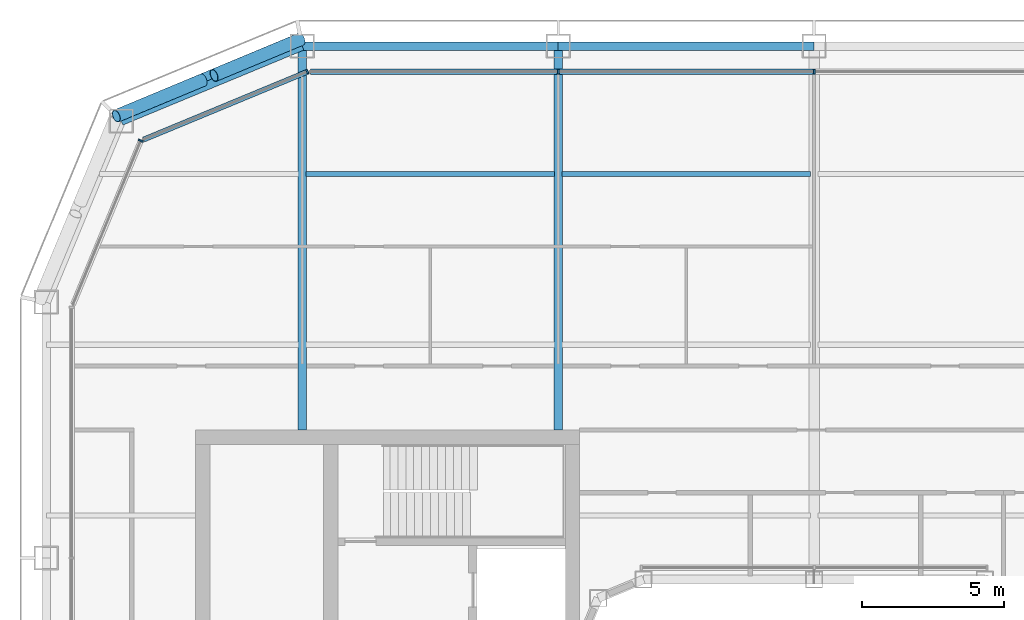
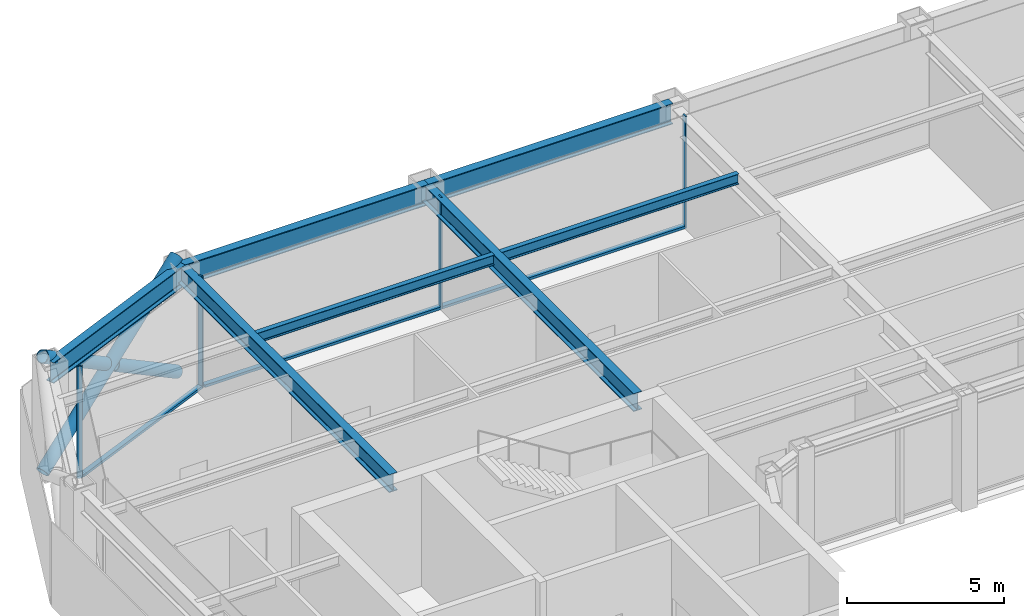
# One storey, part 8 of 22: 10 members, 7 beams, 3 elements without a shape of their own.
"""IFC4 building model written with IfcOpenShell, lengths in metres."""

from ifc_helpers import new_model, si_unit, direction, frame, origin, origin_2d, place, context, subcontext, project, spatial, rectangle, hollow_circle, i_section, extrude, material, layer, layer_set, material_profile, profile_set, type_object, element, aggregate, save


model = new_model("IFC4")

# Units and contexts
model_context = context("Model", 3, precision=1e-05, world=origin(), true_north=direction((0.0, 1.0)))
body_context = subcontext(model_context, "Body", "Model", "MODEL_VIEW")
ifc_project = project(units=[si_unit("LENGTHUNIT", "METRE"), si_unit("AREAUNIT", "SQUARE_METRE"), si_unit("VOLUMEUNIT", "CUBIC_METRE"), si_unit("PLANEANGLEUNIT", "RADIAN"), si_unit("MASSUNIT", "GRAM", prefix="KILO")], contexts=[model_context])

# Site, building, storey
site_placement = place(None, origin())
site = spatial("IfcSite", under=ifc_project, at=site_placement, CompositionType="ELEMENT")
building_placement = place(site_placement, origin())
building = spatial("IfcBuilding", under=site, at=building_placement, Name="Siwar Civic Tower", CompositionType="ELEMENT")
storey_placement = place(building_placement, frame((0.0, 0.0, 219.699951171875)))
storey = spatial("IfcBuildingStorey", under=building, at=storey_placement, Name="L47", CompositionType="ELEMENT", Elevation=219.699951171875)

# Curtain wall, members
ifc_material_1 = material(Name="Aluminium and glass", Category="aluminium")
ifc_layer_1 = layer(ifc_material_1, 0.179931640625)
ifc_layer_set_1 = layer_set([ifc_layer_1], Name="Aluminium and glass")
curtain_wall_type_1 = type_object("IfcCurtainWallType", Name="ENV-CW-C", PredefinedType="NOTDEFINED", material=ifc_layer_set_1)
curtain_wall_1_placement = place(storey_placement, origin())
curtain_wall_1 = element("IfcCurtainWall", 1, at=curtain_wall_1_placement, inside=storey, type_object=curtain_wall_type_1, Name="Curtain wall C N", PredefinedType="NOTDEFINED")
ifc_material_2 = material(Name="Aluminium 6063-T6", Category="aluminium")
ifc_material_profile_1 = material_profile(ifc_material_2, rectangle(XDim=0.179931640625, YDim=0.06005859375, at=origin_2d()), Name="AL 180x60")
ifc_profile_set_1 = profile_set([ifc_material_profile_1], Name="Aluminium 6063-T6")
member_type_1 = type_object("IfcMemberType", Name="ENV-MULLION-C", PredefinedType="MULLION", material=ifc_profile_set_1)
member_1_placement = place(storey_placement, frame((0.0, 26.10009765625, 0.0), z_axis=(0.0, 0.0, 1.0), x_axis=(0.0, -1.0, 0.0)))
member_1 = element("IfcMember", 2, at=member_1_placement, type_object=member_type_1, Name="Mullion C N 3", PredefinedType="MULLION", context=body_context, shape_type="SweptSolid", body=[
    extrude(rectangle(XDim=0.179931640625, YDim=0.06005859375, at=origin_2d()), origin(), (0.0, 0.0, 1.0), 4.35009765625),
])
member_2_placement = place(storey_placement, frame((-9.0, 26.10009765625, 0.0), z_axis=(0.0, 0.0, 1.0), x_axis=(0.0, -1.0, 0.0)))
member_2 = element("IfcMember", 3, at=member_2_placement, type_object=member_type_1, Name="Mullion C N 4", PredefinedType="MULLION", context=body_context, shape_type="SweptSolid", body=[
    extrude(rectangle(XDim=0.179931640625, YDim=0.06005859375, at=origin_2d()), origin(), (0.0, 0.0, 1.0), 4.35009765625),
])

# Curtain wall, member
ifc_material_3 = material(Name="Aluminium clad insulated panel", Category="aluminium")
ifc_layer_2 = layer(ifc_material_3, 0.179931640625)
ifc_layer_set_2 = layer_set([ifc_layer_2], Name="Aluminium clad insulated panel")
curtain_wall_type_2 = type_object("IfcCurtainWallType", Name="ENV-CW-CX", PredefinedType="NOTDEFINED", material=ifc_layer_set_2)
curtain_wall_2_placement = place(storey_placement, origin())
curtain_wall_2 = element("IfcCurtainWall", 4, at=curtain_wall_2_placement, inside=storey, type_object=curtain_wall_type_2, Name="Curtain wall C NW1", PredefinedType="NOTDEFINED")
member_3_placement = place(storey_placement, frame((-17.821044921875, 26.10009765625, 0.0), z_axis=(0.0, 0.0, 1.0), x_axis=(0.382683432365, -0.923879532511, 0.0)))
member_3 = element("IfcMember", 5, at=member_3_placement, type_object=member_type_1, Name="Mullion C NW1 1", PredefinedType="MULLION", context=body_context, shape_type="SweptSolid", body=[
    extrude(rectangle(XDim=0.179931640625, YDim=0.06005859375, at=origin_2d()), origin(), (0.0, 0.0, 1.0), 4.35009765625),
])

curtain_wall_3_placement = place(storey_placement, origin())
curtain_wall_3 = element("IfcCurtainWall", 6, at=curtain_wall_3_placement, inside=storey, type_object=curtain_wall_type_2, Name="Curtain wall C NW2", PredefinedType="NOTDEFINED")
member_4_placement = place(storey_placement, frame((-23.675048828125, 23.675048828125, 0.0), z_axis=(0.0, 0.0, 1.0), x_axis=(0.923879532511, -0.382683432365, 0.0)))
member_4 = element("IfcMember", 7, at=member_4_placement, type_object=member_type_1, Name="Mullion C NW2 1", PredefinedType="MULLION", context=body_context, shape_type="SweptSolid", body=[
    extrude(rectangle(XDim=0.179931640625, YDim=0.06005859375, at=origin_2d()), origin(), (0.0, 0.0, 1.0), 4.35009765625),
])
aggregate(curtain_wall_3, [member_4])

# Member
ifc_material_4 = material(Name="Aluminium 6063-T6", Category="aluminium")
ifc_material_profile_2 = material_profile(ifc_material_4, rectangle(XDim=0.179931640625, YDim=0.10009765625, at=origin_2d()), Name="AL 180x100")
ifc_profile_set_2 = profile_set([ifc_material_profile_2], Name="Aluminium 6063-T6")
member_type_2 = type_object("IfcMemberType", Name="ENV-TRANSOM-C", PredefinedType="USERDEFINED", material=ifc_profile_set_2)
member_5_placement = place(storey_placement, frame((-0.030029296875, 26.10009765625, 0.050048828125), z_axis=(-1.0, 0.0, 0.0), x_axis=(0.0, -1.0, 0.0)))
member_5 = element("IfcMember", 8, at=member_5_placement, type_object=member_type_2, Name="Transom C N 3", ObjectType="TRANSOM", PredefinedType="USERDEFINED", context=body_context, shape_type="SweptSolid", body=[
    extrude(rectangle(XDim=0.179931640625, YDim=0.10009765625, at=origin_2d()), origin(), (0.0, 0.0, 1.0), 8.93994140625),
])

member_6_placement = place(storey_placement, frame((-9.030029296875, 26.10009765625, 0.050048828125), z_axis=(-1.0, 0.0, 0.0), x_axis=(0.0, -1.0, 0.0)))
member_6 = element("IfcMember", 9, at=member_6_placement, type_object=member_type_2, Name="Transom C N 4", ObjectType="TRANSOM", PredefinedType="USERDEFINED", context=body_context, shape_type="SweptSolid", body=[
    extrude(rectangle(XDim=0.179931640625, YDim=0.10009765625, at=origin_2d()), origin(), (0.0, 0.0, 1.0), 8.68603515625),
])

aggregate(curtain_wall_1, [member_1, member_2, member_5, member_6])

member_7_placement = place(storey_placement, frame((-17.8486328125, 26.088623046875, 0.050048828125), z_axis=(-0.923882011223, -0.38267744817, 0.0), x_axis=(0.38267744817, -0.923882011223, 0.0)))
member_7 = element("IfcMember", 10, at=member_7_placement, type_object=member_type_2, Name="Transom C NW1 1", ObjectType="TRANSOM", PredefinedType="USERDEFINED", context=body_context, shape_type="SweptSolid", body=[
    extrude(rectangle(XDim=0.179931640625, YDim=0.10009765625, at=origin_2d()), origin(), (0.0, 0.0, 1.0), 6.201904296875),
])

aggregate(curtain_wall_2, [member_3, member_7])

# Members
ifc_material_5 = material(Name="Steel S355", Category="steel")
ifc_material_profile_3 = material_profile(ifc_material_5, hollow_circle(Radius=0.228515625, WallThickness=0.02001953125, at=origin_2d()), Name="CHS457x20")
ifc_profile_set_3 = profile_set([ifc_material_profile_3], Name="Steel S355")
member_type_3 = type_object("IfcMemberType", Name="STR-BR-CHS457x20", PredefinedType="BRACE", material=ifc_profile_set_3)
member_8_placement = place(storey_placement, frame((-24.540771484375, 24.540771484375, 0.0), z_axis=(0.777554562952, 0.323905527954, 0.538975055633), x_axis=(-0.384538969033, 0.923108759191, 0.0)))
element("IfcMember", 11, at=member_8_placement, inside=storey, type_object=member_type_3, Name="L47/brc/CNW1-7-0-0", PredefinedType="BRACE", context=body_context, shape_type="SweptSolid", body=[
    extrude(hollow_circle(Radius=0.228515625, WallThickness=0.02001953125, at=origin_2d()), origin(), (0.0, 0.0, 1.0), 8.34912109375),
])
for number, where, z_axis, x_axis, name in (
    (12, (-18.048828125, 27.2451171875, 0.0), (-0.777546448489, -0.323884455881, 0.538999424564), (0.38452107079, -0.92311621485, 0.0), "L47/brc/CNW1-7-0-4"),
    (13, (-21.486572265625, 25.81298828125, 2.383056640625), (-0.777572496853, -0.323895306243, 0.538955325357), (0.38452107079, -0.92311621485, 0.0), "L47/brc/CNW1-7-0-5"),
):
    element("IfcMember", number, at=place(storey_placement, frame(where, z_axis=z_axis, x_axis=x_axis)), inside=storey, type_object=member_type_3, Name=name, PredefinedType="BRACE", context=body_context, shape_type="SweptSolid", body=[
        extrude(hollow_circle(Radius=0.228515625, WallThickness=0.02001953125, at=origin_2d()), origin(), (0.0, 0.0, 1.0), 3.927978515625),
    ])

# Beams
ifc_material_6 = material(Name="Steel S355", Category="steel")
ifc_material_profile_4 = material_profile(ifc_material_6, i_section(OverallWidth=0.179931640625, OverallDepth=0.39990234375, WebThickness=0.008544921875, FlangeThickness=0.013427734375, FilletRadius=0.02099609375, at=origin_2d()), Name="IPE400")
ifc_profile_set_4 = profile_set([ifc_material_profile_4], Name="Steel S355")
beam_type_1 = type_object("IfcBeamType", Name="STR-FB-IPE400", PredefinedType="JOIST", material=ifc_profile_set_4)
for number, where, z_axis, x_axis, name in (
    (14, (-17.8701171875, 22.5, 4.150146484375), (1.0, 0.0, 0.0), (0.0, 1.0, 0.0), "L47/bm/F038"),
    (15, (-8.8701171875, 22.5, 4.150146484375), (1.0, 0.0, 0.0), (0.0, 1.0, 0.0), "L47/bm/F039"),
):
    element("IfcBeam", number, at=place(storey_placement, frame(where, z_axis=z_axis, x_axis=x_axis)), inside=storey, type_object=beam_type_1, Name=name, PredefinedType="JOIST", context=body_context, shape_type="SweptSolid", body=[
        extrude(i_section(OverallWidth=0.179931640625, OverallDepth=0.39990234375, WebThickness=0.008544921875, FlangeThickness=0.013427734375, FilletRadius=0.02099609375, at=origin_2d()), origin(), (0.0, 0.0, 1.0), 8.740234375),
    ])
ifc_material_7 = material(Name="Steel S355", Category="steel")
ifc_material_profile_5 = material_profile(ifc_material_7, i_section(OverallWidth=0.300048828125, OverallDepth=0.699951171875, WebThickness=0.01708984375, FlangeThickness=0.031982421875, FilletRadius=0.027099609375, at=origin_2d()), Name="HEB700")
ifc_profile_set_5 = profile_set([ifc_material_profile_5], Name="Steel S355")
beam_type_2 = type_object("IfcBeamType", Name="STR-PG-HEB700", PredefinedType="BEAM", material=ifc_profile_set_5)
for number, where, z_axis, x_axis, name in (
    (16, (-18.0, 13.5, 4.0), (0.0, 1.0, 0.0), (-1.0, 0.0, 0.0), "L47/bm/G02"),
    (17, (-9.0, 13.5, 4.0), (0.0, 1.0, 0.0), (-1.0, 0.0, 0.0), "L47/bm/G04"),
):
    element("IfcBeam", number, at=place(storey_placement, frame(where, z_axis=z_axis, x_axis=x_axis)), inside=storey, type_object=beam_type_2, Name=name, PredefinedType="BEAM", context=body_context, shape_type="SweptSolid", body=[
        extrude(i_section(OverallWidth=0.300048828125, OverallDepth=0.699951171875, WebThickness=0.01708984375, FlangeThickness=0.031982421875, FilletRadius=0.027099609375, at=origin_2d()), origin(), (0.0, 0.0, 1.0), 13.5),
    ])
ifc_material_8 = material(Name="Steel S355", Category="steel")
ifc_material_profile_6 = material_profile(ifc_material_8, i_section(OverallWidth=0.300048828125, OverallDepth=0.800048828125, WebThickness=0.017578125, FlangeThickness=0.032958984375, FilletRadius=0.030029296875, at=origin_2d()), Name="HEB800")
ifc_profile_set_6 = profile_set([ifc_material_profile_6], Name="Steel S355")
beam_type_3 = type_object("IfcBeamType", Name="STR-SB-HEB800", PredefinedType="BEAM", material=ifc_profile_set_6)
for number, where, z_axis, x_axis, name in (
    (18, (0.0, 27.0, 3.949951171875), (-1.0, 0.0, 0.0), (0.0, -1.0, 0.0), "L47/bm/SN-2"),
    (19, (-9.0, 27.0, 3.949951171875), (-1.0, 0.0, 0.0), (0.0, -1.0, 0.0), "L47/bm/SN-3"),
):
    element("IfcBeam", number, at=place(storey_placement, frame(where, z_axis=z_axis, x_axis=x_axis)), inside=storey, type_object=beam_type_3, Name=name, PredefinedType="BEAM", context=body_context, shape_type="SweptSolid", body=[
        extrude(i_section(OverallWidth=0.300048828125, OverallDepth=0.800048828125, WebThickness=0.017578125, FlangeThickness=0.032958984375, FilletRadius=0.030029296875, at=origin_2d()), origin(), (0.0, 0.0, 1.0), 9.0),
    ])
beam_placement = place(storey_placement, frame((-18.0, 27.0, 3.949951171875), z_axis=(-0.923883353507, -0.382674207535, 0.0), x_axis=(0.382674207535, -0.923883353507, 0.0)))
element("IfcBeam", 20, at=beam_placement, inside=storey, type_object=beam_type_3, Name="L47/bm/SNW1-0", PredefinedType="BEAM", context=body_context, shape_type="SweptSolid", body=[
    extrude(i_section(OverallWidth=0.300048828125, OverallDepth=0.800048828125, WebThickness=0.017578125, FlangeThickness=0.032958984375, FilletRadius=0.030029296875, at=origin_2d()), origin(), (0.0, 0.0, 1.0), 6.888427734375),
])

save(model, "model.ifc")
